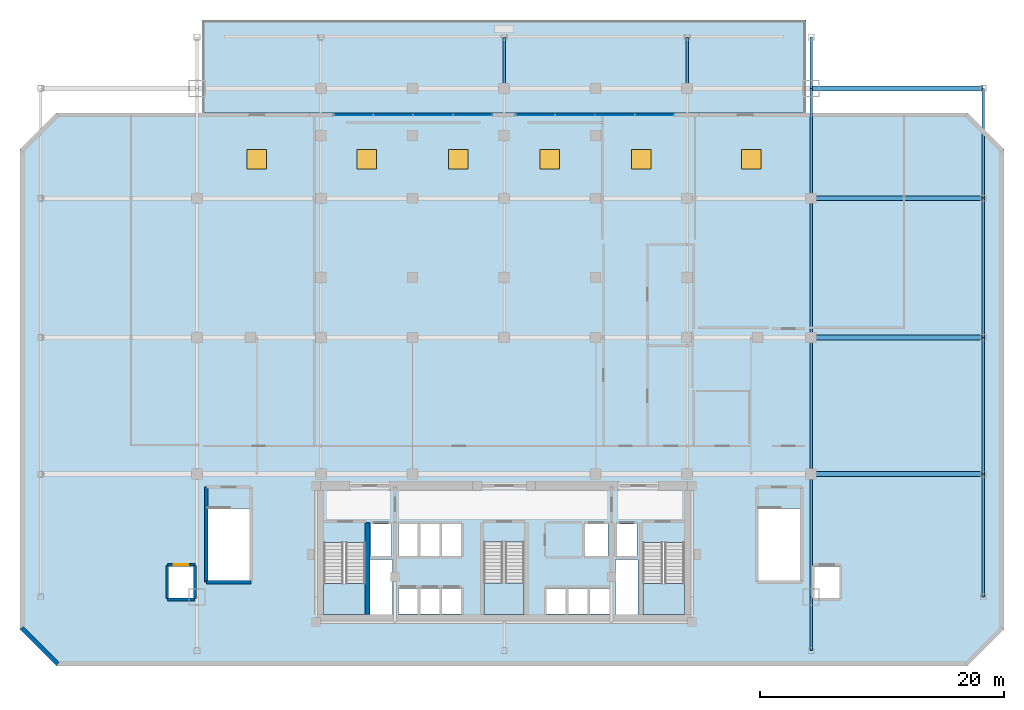
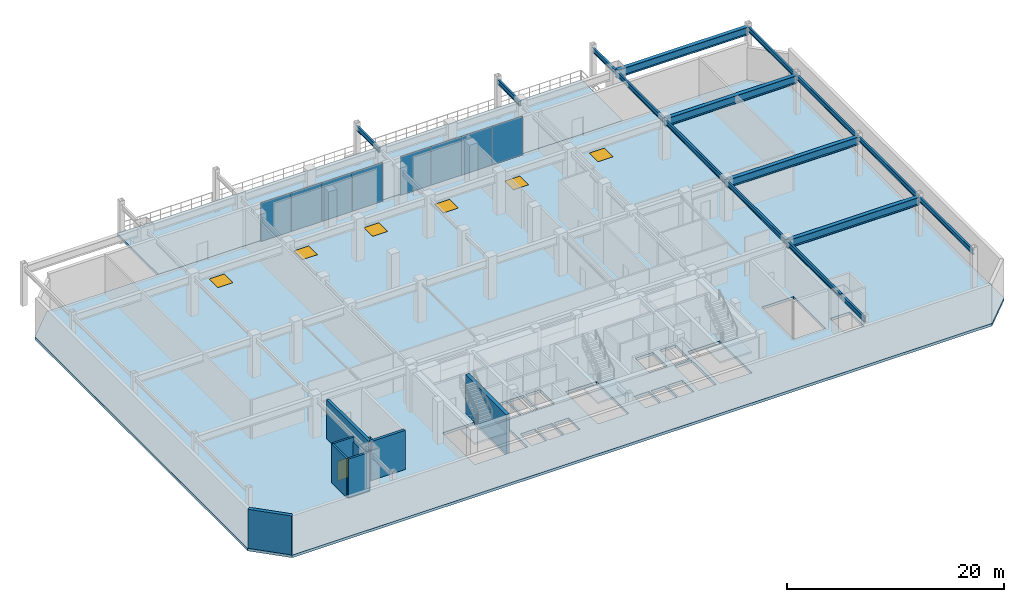
# One storey, part 9 of 15: 16 beams, 8 plates, 8 walls, 6 windows, 5 slabs, 1 door, 7 openings, 5 elements without a shape of their own.
"""IFC4 building model written with IfcOpenShell, lengths in metres."""

from ifc_helpers import new_model, si_unit, direction, frame, frame_2d, origin, origin_2d, place, context, subcontext, project, spatial, polyline, rectangle, i_section, outline, extrude, material, layer, layer_set, material_profile, profile_set, type_object, element, fill, aggregate, save


model = new_model("IFC4")

# Units and contexts
model_context = context("Model", 3, precision=1e-05, world=origin(), true_north=direction((0.0, 1.0)))
body_context = subcontext(model_context, "Body", "Model", "MODEL_VIEW")
ifc_project = project(units=[si_unit("LENGTHUNIT", "METRE"), si_unit("AREAUNIT", "SQUARE_METRE"), si_unit("VOLUMEUNIT", "CUBIC_METRE"), si_unit("PLANEANGLEUNIT", "RADIAN"), si_unit("MASSUNIT", "GRAM", prefix="KILO")], contexts=[model_context])

# Site, building, storey
site_placement = place(None, origin())
site = spatial("IfcSite", under=ifc_project, at=site_placement, CompositionType="ELEMENT")
building_placement = place(site_placement, origin())
building = spatial("IfcBuilding", under=site, at=building_placement, Name="Ventersveld Concourse Tower", CompositionType="ELEMENT")
storey_placement = place(building_placement, frame((0.0, 0.0, 19.800048828125)))
storey = spatial("IfcBuildingStorey", under=building, at=storey_placement, Name="L04", CompositionType="ELEMENT", Elevation=19.800048828125)

# Beams
ifc_material_1 = material(Name="Structural steel S355J2", Category="steel")
ifc_material_profile_1 = material_profile(ifc_material_1, i_section(OverallWidth=0.39990234375, OverallDepth=0.89990234375, WebThickness=0.02197265625, FlangeThickness=0.035888671875, at=origin_2d()), Name="PG 900x400x36")
ifc_profile_set_1 = profile_set([ifc_material_profile_1], Name="Structural steel S355J2")
beam_type_1 = type_object("IfcBeamType", Name="GRD-PG900", PredefinedType="USERDEFINED", material=ifc_profile_set_1)
for number, where, z_axis, x_axis, name in (
    (1, (53.89990234375, 12.39990234375, 3.949951171875), (1.0, 0.0, 0.0), (0.0, 1.0, 0.0), "L04 Podium Primary Girder Y=12.4m"),
    (2, (53.89990234375, 23.60009765625, 3.949951171875), (1.0, 0.0, 0.0), (0.0, 1.0, 0.0), "L04 Podium Primary Girder Y=23.6m"),
    (3, (53.89990234375, 35.0, 3.949951171875), (1.0, 0.0, 0.0), (0.0, 1.0, 0.0), "L04 Podium Primary Girder Y=35.0m"),
    (4, (53.89990234375, 44.0, 3.949951171875), (1.0, 0.0, 0.0), (0.0, 1.0, 0.0), "L04 Podium Primary Girder Y=44.0m"),
):
    element("IfcBeam", number, at=place(storey_placement, frame(where, z_axis=z_axis, x_axis=x_axis)), inside=storey, type_object=beam_type_1, Name=name, ObjectType="GIRDER", PredefinedType="USERDEFINED", context=body_context, shape_type="SweptSolid", body=[
        extrude(i_section(OverallWidth=0.39990234375, OverallDepth=0.89990234375, WebThickness=0.02197265625, FlangeThickness=0.035888671875, at=origin_2d()), origin(), (0.0, 0.0, 1.0), 14.10009765625),
    ])
ifc_material_profile_2 = material_profile(ifc_material_1, i_section(OverallWidth=0.209228515625, OverallDepth=0.533203125, WebThickness=0.010009765625, FlangeThickness=0.015625, FilletRadius=0.0126953125, at=origin_2d()), Name="UB 533x210x92")
ifc_profile_set_2 = profile_set([ifc_material_profile_2], Name="Structural steel S355J2")
beam_type_2 = type_object("IfcBeamType", Name="GRD-UB533", PredefinedType="T_BEAM", material=ifc_profile_set_2)
for number, where, z_axis, x_axis, name in (
    (5, (28.75, 44.0, 4.133544921875), (0.0, 1.0, 0.0), (-1.0, 0.0, 0.0), "L04 Podium N-S Girder X=28.75m"),
    (6, (43.75, 44.0, 4.133544921875), (0.0, 1.0, 0.0), (-1.0, 0.0, 0.0), "L04 Podium N-S Girder X=43.75m"),
):
    element("IfcBeam", number, at=place(storey_placement, frame(where, z_axis=z_axis, x_axis=x_axis)), inside=storey, type_object=beam_type_2, Name=name, PredefinedType="T_BEAM", context=body_context, shape_type="SweptSolid", body=[
        extrude(i_section(OverallWidth=0.209228515625, OverallDepth=0.533203125, WebThickness=0.010009765625, FlangeThickness=0.015625, FilletRadius=0.0126953125, at=origin_2d()), origin(), (0.0, 0.0, 1.0), 4.199951171875),
    ])
beam_1_placement = place(storey_placement, frame((53.89990234375, -2.050048828125, 4.133544921875), z_axis=(0.0, 1.0, 0.0), x_axis=(-1.0, 0.0, 0.0)))
element("IfcBeam", 7, at=beam_1_placement, inside=storey, type_object=beam_type_2, Name="L04 Podium N-S Girder X=53.90m", PredefinedType="T_BEAM", context=body_context, shape_type="SweptSolid", body=[
    extrude(i_section(OverallWidth=0.209228515625, OverallDepth=0.533203125, WebThickness=0.010009765625, FlangeThickness=0.015625, FilletRadius=0.0126953125, at=origin_2d()), origin(), (0.0, 0.0, 1.0), 4.400146484375),
])
beam_2_placement = place(storey_placement, frame((53.89990234375, 2.35009765625, 4.133544921875), z_axis=(0.0, 1.0, 0.0), x_axis=(-1.0, 0.0, 0.0)))
element("IfcBeam", 8, at=beam_2_placement, inside=storey, type_object=beam_type_2, Name="L04 Podium N-S Girder X=53.90m", PredefinedType="T_BEAM", context=body_context, shape_type="SweptSolid", body=[
    extrude(i_section(OverallWidth=0.209228515625, OverallDepth=0.533203125, WebThickness=0.010009765625, FlangeThickness=0.015625, FilletRadius=0.0126953125, at=origin_2d()), origin(), (0.0, 0.0, 1.0), 10.0498046875),
])
beam_3_placement = place(storey_placement, frame((53.89990234375, 12.39990234375, 4.133544921875), z_axis=(0.0, 1.0, 0.0), x_axis=(-1.0, 0.0, 0.0)))
element("IfcBeam", 9, at=beam_3_placement, inside=storey, type_object=beam_type_2, Name="L04 Podium N-S Girder X=53.90m", PredefinedType="T_BEAM", context=body_context, shape_type="SweptSolid", body=[
    extrude(i_section(OverallWidth=0.209228515625, OverallDepth=0.533203125, WebThickness=0.010009765625, FlangeThickness=0.015625, FilletRadius=0.0126953125, at=origin_2d()), origin(), (0.0, 0.0, 1.0), 11.2001953125),
])
beam_4_placement = place(storey_placement, frame((53.89990234375, 23.60009765625, 4.133544921875), z_axis=(0.0, 1.0, 0.0), x_axis=(-1.0, 0.0, 0.0)))
element("IfcBeam", 10, at=beam_4_placement, inside=storey, type_object=beam_type_2, Name="L04 Podium N-S Girder X=53.90m", PredefinedType="T_BEAM", context=body_context, shape_type="SweptSolid", body=[
    extrude(i_section(OverallWidth=0.209228515625, OverallDepth=0.533203125, WebThickness=0.010009765625, FlangeThickness=0.015625, FilletRadius=0.0126953125, at=origin_2d()), origin(), (0.0, 0.0, 1.0), 11.39990234375),
])
beam_5_placement = place(storey_placement, frame((53.89990234375, 35.0, 4.133544921875), z_axis=(0.0, 1.0, 0.0), x_axis=(-1.0, 0.0, 0.0)))
element("IfcBeam", 11, at=beam_5_placement, inside=storey, type_object=beam_type_2, Name="L04 Podium N-S Girder X=53.90m", PredefinedType="T_BEAM", context=body_context, shape_type="SweptSolid", body=[
    extrude(i_section(OverallWidth=0.209228515625, OverallDepth=0.533203125, WebThickness=0.010009765625, FlangeThickness=0.015625, FilletRadius=0.0126953125, at=origin_2d()), origin(), (0.0, 0.0, 1.0), 9.0),
])
beam_6_placement = place(storey_placement, frame((53.89990234375, 44.0, 4.133544921875), z_axis=(0.0, 1.0, 0.0), x_axis=(-1.0, 0.0, 0.0)))
element("IfcBeam", 12, at=beam_6_placement, inside=storey, type_object=beam_type_2, Name="L04 Podium N-S Girder X=53.90m", PredefinedType="T_BEAM", context=body_context, shape_type="SweptSolid", body=[
    extrude(i_section(OverallWidth=0.209228515625, OverallDepth=0.533203125, WebThickness=0.010009765625, FlangeThickness=0.015625, FilletRadius=0.0126953125, at=origin_2d()), origin(), (0.0, 0.0, 1.0), 4.199951171875),
])
beam_7_placement = place(storey_placement, frame((68.0, 2.35009765625, 4.133544921875), z_axis=(0.0, 1.0, 0.0), x_axis=(-1.0, 0.0, 0.0)))
element("IfcBeam", 13, at=beam_7_placement, inside=storey, type_object=beam_type_2, Name="L04 Podium N-S Girder X=68.00m", PredefinedType="T_BEAM", context=body_context, shape_type="SweptSolid", body=[
    extrude(i_section(OverallWidth=0.209228515625, OverallDepth=0.533203125, WebThickness=0.010009765625, FlangeThickness=0.015625, FilletRadius=0.0126953125, at=origin_2d()), origin(), (0.0, 0.0, 1.0), 10.0498046875),
])
beam_8_placement = place(storey_placement, frame((68.0, 12.39990234375, 4.133544921875), z_axis=(0.0, 1.0, 0.0), x_axis=(-1.0, 0.0, 0.0)))
element("IfcBeam", 14, at=beam_8_placement, inside=storey, type_object=beam_type_2, Name="L04 Podium N-S Girder X=68.00m", PredefinedType="T_BEAM", context=body_context, shape_type="SweptSolid", body=[
    extrude(i_section(OverallWidth=0.209228515625, OverallDepth=0.533203125, WebThickness=0.010009765625, FlangeThickness=0.015625, FilletRadius=0.0126953125, at=origin_2d()), origin(), (0.0, 0.0, 1.0), 11.2001953125),
])
beam_9_placement = place(storey_placement, frame((68.0, 23.60009765625, 4.133544921875), z_axis=(0.0, 1.0, 0.0), x_axis=(-1.0, 0.0, 0.0)))
element("IfcBeam", 15, at=beam_9_placement, inside=storey, type_object=beam_type_2, Name="L04 Podium N-S Girder X=68.00m", PredefinedType="T_BEAM", context=body_context, shape_type="SweptSolid", body=[
    extrude(i_section(OverallWidth=0.209228515625, OverallDepth=0.533203125, WebThickness=0.010009765625, FlangeThickness=0.015625, FilletRadius=0.0126953125, at=origin_2d()), origin(), (0.0, 0.0, 1.0), 11.39990234375),
])
beam_10_placement = place(storey_placement, frame((68.0, 35.0, 4.133544921875), z_axis=(0.0, 1.0, 0.0), x_axis=(-1.0, 0.0, 0.0)))
element("IfcBeam", 16, at=beam_10_placement, inside=storey, type_object=beam_type_2, Name="L04 Podium N-S Girder X=68.00m", PredefinedType="T_BEAM", context=body_context, shape_type="SweptSolid", body=[
    extrude(i_section(OverallWidth=0.209228515625, OverallDepth=0.533203125, WebThickness=0.010009765625, FlangeThickness=0.015625, FilletRadius=0.0126953125, at=origin_2d()), origin(), (0.0, 0.0, 1.0), 9.0),
])

# Curtain wall, plates
ifc_material_2 = material(Name="Anodised aluminium EN AW-6063-T6", Category="aluminium")
curtain_wall_type = type_object("IfcCurtainWallType", Name="CW-POD-2", PredefinedType="NOTDEFINED", material=ifc_material_2)
curtain_wall_1_placement = place(storey_placement, origin())
curtain_wall_1 = element("IfcCurtainWall", 17, at=curtain_wall_1_placement, inside=storey, type_object=curtain_wall_type, Name="L04 L04 Amenity Terrace Curtain Wall 1", PredefinedType="NOTDEFINED")
ifc_material_3 = material(Name="Low-E double glazing IGU", Category="glass")
ifc_layer_1 = layer(ifc_material_3, 0.02392578125)
ifc_layer_set_1 = layer_set([ifc_layer_1], Name="Low-E double glazing IGU")
plate_type = type_object("IfcPlateType", Name="CWP-GLZ-24", PredefinedType="CURTAIN_PANEL", material=ifc_layer_set_1)
plate_1_placement = place(storey_placement, frame((16.425048828125, 41.820068359375, 0.02001953125), z_axis=(0.0, 0.0, 1.0), x_axis=(1.0, 0.0, 0.0)))
plate_1 = element("IfcPlate", 18, at=plate_1_placement, type_object=plate_type, Name="CW-L04-N1 Glazed Panel 01-1", PredefinedType="CURTAIN_PANEL", context=body_context, shape_type="SweptSolid", body=[
    extrude(rectangle(XDim=3.239990234375, YDim=0.02392578125, at=origin_2d()), origin(), (0.0, 0.0, 1.0), 4.360107421875),
])
plate_2_placement = place(storey_placement, frame((19.675048828125, 41.820068359375, 0.02001953125), z_axis=(0.0, 0.0, 1.0), x_axis=(1.0, 0.0, 0.0)))
plate_2 = element("IfcPlate", 19, at=plate_2_placement, type_object=plate_type, Name="CW-L04-N1 Glazed Panel 02-1", PredefinedType="CURTAIN_PANEL", context=body_context, shape_type="SweptSolid", body=[
    extrude(rectangle(XDim=3.239990234375, YDim=0.02392578125, at=origin_2d()), origin(), (0.0, 0.0, 1.0), 4.360107421875),
])
plate_3_placement = place(storey_placement, frame((22.925048828125, 41.820068359375, 0.02001953125), z_axis=(0.0, 0.0, 1.0), x_axis=(1.0, 0.0, 0.0)))
plate_3 = element("IfcPlate", 20, at=plate_3_placement, type_object=plate_type, Name="CW-L04-N1 Glazed Panel 03-1", PredefinedType="CURTAIN_PANEL", context=body_context, shape_type="SweptSolid", body=[
    extrude(rectangle(XDim=3.239990234375, YDim=0.02392578125, at=origin_2d()), origin(), (0.0, 0.0, 1.0), 4.360107421875),
])
plate_4_placement = place(storey_placement, frame((26.175048828125, 41.820068359375, 0.02001953125), z_axis=(0.0, 0.0, 1.0), x_axis=(1.0, 0.0, 0.0)))
plate_4 = element("IfcPlate", 21, at=plate_4_placement, type_object=plate_type, Name="CW-L04-N1 Glazed Panel 04-1", PredefinedType="CURTAIN_PANEL", context=body_context, shape_type="SweptSolid", body=[
    extrude(rectangle(XDim=3.239990234375, YDim=0.02392578125, at=origin_2d()), origin(), (0.0, 0.0, 1.0), 4.360107421875),
])
aggregate(curtain_wall_1, [plate_1, plate_2, plate_3, plate_4])

curtain_wall_2_placement = place(storey_placement, origin())
curtain_wall_2 = element("IfcCurtainWall", 22, at=curtain_wall_2_placement, inside=storey, type_object=curtain_wall_type, Name="L04 L04 Amenity Terrace Curtain Wall 2", PredefinedType="NOTDEFINED")
plate_5_placement = place(storey_placement, frame((31.324951171875, 41.820068359375, 0.02001953125), z_axis=(0.0, 0.0, 1.0), x_axis=(1.0, 0.0, 0.0)))
plate_5 = element("IfcPlate", 23, at=plate_5_placement, type_object=plate_type, Name="CW-L04-N2 Glazed Panel 01-1", PredefinedType="CURTAIN_PANEL", context=body_context, shape_type="SweptSolid", body=[
    extrude(rectangle(XDim=3.239990234375, YDim=0.02392578125, at=origin_2d()), origin(), (0.0, 0.0, 1.0), 4.360107421875),
])
plate_6_placement = place(storey_placement, frame((34.574951171875, 41.820068359375, 0.02001953125), z_axis=(0.0, 0.0, 1.0), x_axis=(1.0, 0.0, 0.0)))
plate_6 = element("IfcPlate", 24, at=plate_6_placement, type_object=plate_type, Name="CW-L04-N2 Glazed Panel 02-1", PredefinedType="CURTAIN_PANEL", context=body_context, shape_type="SweptSolid", body=[
    extrude(rectangle(XDim=3.239990234375, YDim=0.02392578125, at=origin_2d()), origin(), (0.0, 0.0, 1.0), 4.360107421875),
])
plate_7_placement = place(storey_placement, frame((37.824951171875, 41.820068359375, 0.02001953125), z_axis=(0.0, 0.0, 1.0), x_axis=(1.0, 0.0, 0.0)))
plate_7 = element("IfcPlate", 25, at=plate_7_placement, type_object=plate_type, Name="CW-L04-N2 Glazed Panel 03-1", PredefinedType="CURTAIN_PANEL", context=body_context, shape_type="SweptSolid", body=[
    extrude(rectangle(XDim=3.239990234375, YDim=0.02392578125, at=origin_2d()), origin(), (0.0, 0.0, 1.0), 4.360107421875),
])
plate_8_placement = place(storey_placement, frame((41.074951171875, 41.820068359375, 0.02001953125), z_axis=(0.0, 0.0, 1.0), x_axis=(1.0, 0.0, 0.0)))
plate_8 = element("IfcPlate", 26, at=plate_8_placement, type_object=plate_type, Name="CW-L04-N2 Glazed Panel 04-1", PredefinedType="CURTAIN_PANEL", context=body_context, shape_type="SweptSolid", body=[
    extrude(rectangle(XDim=3.239990234375, YDim=0.02392578125, at=origin_2d()), origin(), (0.0, 0.0, 1.0), 4.360107421875),
])
aggregate(curtain_wall_2, [plate_5, plate_6, plate_7, plate_8])

# Slab, openings, windows
ifc_material_4 = material(Name="Concrete C50/60", Category="concrete")
ifc_layer_2 = layer(ifc_material_4, 0.300048828125)
ifc_layer_set_2 = layer_set([ifc_layer_2], Name="Concrete C50/60")
slab_type_1 = type_object("IfcSlabType", Name="SL-FLR-300", PredefinedType="FLOOR", material=ifc_layer_set_2)
slab_1_placement = place(storey_placement, frame((0.0, 0.0, -0.300048828125)))
slab_1 = element("IfcSlab", 27, at=slab_1_placement, inside=storey, type_object=slab_type_1, Name="L04 Composite Floor Slab", PredefinedType="FLOOR", context=body_context, shape_type="SweptSolid", body=[
    extrude(outline(polyline([(-7.89990234375, -3.300048828125), (66.699951171875, -3.300048828125), (69.699951171875, -0.300048828125), (69.699951171875, 39.0), (66.699951171875, 42.0), (-7.89990234375, 42.0), (-10.89990234375, 39.0), (-10.89990234375, -0.300048828125), (-7.89990234375, -3.300048828125)]), holes=[polyline([(13.97998046875, 6.794921875), (13.97998046875, 0.89990234375), (17.3798828125, 0.89990234375), (17.3798828125, 6.794921875), (13.97998046875, 6.794921875)]), polyline([(40.1201171875, 6.794921875), (40.1201171875, 0.89990234375), (43.52001953125, 0.89990234375), (43.52001953125, 6.794921875), (40.1201171875, 6.794921875)]), polyline([(27.10009765625, 6.844970703125), (27.10009765625, 0.89990234375), (30.39990234375, 0.89990234375), (30.39990234375, 6.844970703125), (27.10009765625, 6.844970703125)]), polyline([(4.5, 9.594970703125), (4.5, 3.699951171875), (7.89990234375, 3.699951171875), (7.89990234375, 9.594970703125), (4.5, 9.594970703125)]), polyline([(49.60009765625, 9.594970703125), (49.60009765625, 3.699951171875), (53.0, 3.699951171875), (53.0, 9.594970703125), (49.60009765625, 9.594970703125)]), polyline([(17.85009765625, 5.699951171875), (19.530029296875, 5.699951171875), (19.530029296875, 8.300048828125), (17.85009765625, 8.300048828125), (17.85009765625, 5.699951171875)]), polyline([(37.969970703125, 5.699951171875), (39.64990234375, 5.699951171875), (39.64990234375, 8.300048828125), (37.969970703125, 8.300048828125), (37.969970703125, 5.699951171875)]), polyline([(35.35009765625, 5.699951171875), (37.25, 5.699951171875), (37.25, 8.300048828125), (35.35009765625, 8.300048828125), (35.35009765625, 5.699951171875)]), polyline([(20.090087890625, 0.949951171875), (21.68994140625, 0.949951171875), (21.68994140625, 3.050048828125), (20.090087890625, 3.050048828125), (20.090087890625, 0.949951171875)]), polyline([(21.8701171875, 0.949951171875), (23.469970703125, 0.949951171875), (23.469970703125, 3.050048828125), (21.8701171875, 3.050048828125), (21.8701171875, 0.949951171875)]), polyline([(23.64990234375, 0.949951171875), (25.25, 0.949951171875), (25.25, 3.050048828125), (23.64990234375, 3.050048828125), (23.64990234375, 0.949951171875)]), polyline([(32.2099609375, 0.949951171875), (33.81005859375, 0.949951171875), (33.81005859375, 3.050048828125), (32.2099609375, 3.050048828125), (32.2099609375, 0.949951171875)]), polyline([(33.989990234375, 0.949951171875), (35.590087890625, 0.949951171875), (35.590087890625, 3.050048828125), (33.989990234375, 3.050048828125), (33.989990234375, 0.949951171875)]), polyline([(35.77001953125, 0.949951171875), (37.3701171875, 0.949951171875), (37.3701171875, 3.050048828125), (35.77001953125, 3.050048828125), (35.77001953125, 0.949951171875)]), polyline([(20.090087890625, 5.699951171875), (21.68994140625, 5.699951171875), (21.68994140625, 8.300048828125), (20.090087890625, 8.300048828125), (20.090087890625, 5.699951171875)]), polyline([(21.8701171875, 5.699951171875), (23.469970703125, 5.699951171875), (23.469970703125, 8.300048828125), (21.8701171875, 8.300048828125), (21.8701171875, 5.699951171875)]), polyline([(23.64990234375, 5.699951171875), (25.25, 5.699951171875), (25.25, 8.300048828125), (23.64990234375, 8.300048828125), (23.64990234375, 5.699951171875)]), polyline([(1.25, 2.25), (3.35009765625, 2.25), (3.35009765625, 4.85009765625), (1.25, 4.85009765625), (1.25, 2.25)]), polyline([(54.14990234375, 2.25), (56.25, 2.25), (56.25, 4.85009765625), (54.14990234375, 4.85009765625), (54.14990234375, 2.25)]), polyline([(17.780029296875, 0.919921875), (19.6201171875, 0.919921875), (19.6201171875, 5.419921875), (17.780029296875, 5.419921875), (17.780029296875, 0.919921875)]), polyline([(37.8798828125, 0.919921875), (39.719970703125, 0.919921875), (39.719970703125, 5.419921875), (37.8798828125, 5.419921875), (37.8798828125, 0.919921875)])]), origin(), (0.0, 0.0, 1.0), 0.300048828125),
])
opening_1_placement = place(slab_1_placement, frame((8.5, 38.199951171875, -0.010009765625)))
opening_1 = element("IfcOpeningElement", 28, at=opening_1_placement, cuts=slab_1, Name="Opening SK1", PredefinedType="OPENING", context=body_context, shape_type="SweptSolid", body=[
    extrude(rectangle(XDim=1.60009765625, YDim=1.60009765625, at=origin_2d()), origin(), (0.0, 0.0, 1.0), 0.320068359375),
])
opening_2_placement = place(slab_1_placement, frame((17.5, 38.199951171875, -0.010009765625)))
opening_2 = element("IfcOpeningElement", 29, at=opening_2_placement, cuts=slab_1, Name="Opening SK1", PredefinedType="OPENING", context=body_context, shape_type="SweptSolid", body=[
    extrude(rectangle(XDim=1.60009765625, YDim=1.60009765625, at=origin_2d()), origin(), (0.0, 0.0, 1.0), 0.320068359375),
])
opening_3_placement = place(slab_1_placement, frame((25.0, 38.199951171875, -0.010009765625)))
opening_3 = element("IfcOpeningElement", 30, at=opening_3_placement, cuts=slab_1, Name="Opening SK1", PredefinedType="OPENING", context=body_context, shape_type="SweptSolid", body=[
    extrude(rectangle(XDim=1.60009765625, YDim=1.60009765625, at=origin_2d()), origin(), (0.0, 0.0, 1.0), 0.320068359375),
])
opening_4_placement = place(slab_1_placement, frame((32.5, 38.199951171875, -0.010009765625)))
opening_4 = element("IfcOpeningElement", 31, at=opening_4_placement, cuts=slab_1, Name="Opening SK1", PredefinedType="OPENING", context=body_context, shape_type="SweptSolid", body=[
    extrude(rectangle(XDim=1.60009765625, YDim=1.60009765625, at=origin_2d()), origin(), (0.0, 0.0, 1.0), 0.320068359375),
])
opening_5_placement = place(slab_1_placement, frame((40.0, 38.199951171875, -0.010009765625)))
opening_5 = element("IfcOpeningElement", 32, at=opening_5_placement, cuts=slab_1, Name="Opening SK1", PredefinedType="OPENING", context=body_context, shape_type="SweptSolid", body=[
    extrude(rectangle(XDim=1.60009765625, YDim=1.60009765625, at=origin_2d()), origin(), (0.0, 0.0, 1.0), 0.320068359375),
])
opening_6_placement = place(slab_1_placement, frame((49.0, 38.199951171875, -0.010009765625)))
opening_6 = element("IfcOpeningElement", 33, at=opening_6_placement, cuts=slab_1, Name="Opening SK1", PredefinedType="OPENING", context=body_context, shape_type="SweptSolid", body=[
    extrude(rectangle(XDim=1.60009765625, YDim=1.60009765625, at=origin_2d()), origin(), (0.0, 0.0, 1.0), 0.320068359375),
])
ifc_material_5 = material(Name="Tempered acoustic Low-E IGU", Category="glass")
window_type = type_object("IfcWindowType", Name="SKY-160x160", PartitioningType="SINGLE_PANEL", PredefinedType="SKYLIGHT", material=ifc_material_5)
window_1_placement = place(slab_1_placement, frame((8.5, 38.199951171875, 0.25)))
window_1 = element("IfcWindow", 34, at=window_1_placement, inside=storey, type_object=window_type, Name="L04 Podium Concourse Glazed Skylight SK-01", OverallHeight=1.60009765625, OverallWidth=1.60009765625, PartitioningType="SINGLE_PANEL", PredefinedType="SKYLIGHT", context=body_context, shape_type="SweptSolid", body=[
    extrude(rectangle(XDim=1.60009765625, YDim=1.60009765625, at=origin_2d()), origin(), (0.0, 0.0, 1.0), 0.050048828125),
])
fill(opening_1, window_1)
window_2_placement = place(slab_1_placement, frame((17.5, 38.199951171875, 0.25)))
window_2 = element("IfcWindow", 35, at=window_2_placement, inside=storey, type_object=window_type, Name="L04 Podium Concourse Glazed Skylight SK-02", OverallHeight=1.60009765625, OverallWidth=1.60009765625, PartitioningType="SINGLE_PANEL", PredefinedType="SKYLIGHT", context=body_context, shape_type="SweptSolid", body=[
    extrude(rectangle(XDim=1.60009765625, YDim=1.60009765625, at=origin_2d()), origin(), (0.0, 0.0, 1.0), 0.050048828125),
])
fill(opening_2, window_2)
window_3_placement = place(slab_1_placement, frame((25.0, 38.199951171875, 0.25)))
window_3 = element("IfcWindow", 36, at=window_3_placement, inside=storey, type_object=window_type, Name="L04 Podium Concourse Glazed Skylight SK-03", OverallHeight=1.60009765625, OverallWidth=1.60009765625, PartitioningType="SINGLE_PANEL", PredefinedType="SKYLIGHT", context=body_context, shape_type="SweptSolid", body=[
    extrude(rectangle(XDim=1.60009765625, YDim=1.60009765625, at=origin_2d()), origin(), (0.0, 0.0, 1.0), 0.050048828125),
])
fill(opening_3, window_3)
window_4_placement = place(slab_1_placement, frame((32.5, 38.199951171875, 0.25)))
window_4 = element("IfcWindow", 37, at=window_4_placement, inside=storey, type_object=window_type, Name="L04 Podium Concourse Glazed Skylight SK-04", OverallHeight=1.60009765625, OverallWidth=1.60009765625, PartitioningType="SINGLE_PANEL", PredefinedType="SKYLIGHT", context=body_context, shape_type="SweptSolid", body=[
    extrude(rectangle(XDim=1.60009765625, YDim=1.60009765625, at=origin_2d()), origin(), (0.0, 0.0, 1.0), 0.050048828125),
])
fill(opening_4, window_4)
window_5_placement = place(slab_1_placement, frame((40.0, 38.199951171875, 0.25)))
window_5 = element("IfcWindow", 38, at=window_5_placement, inside=storey, type_object=window_type, Name="L04 Podium Concourse Glazed Skylight SK-05", OverallHeight=1.60009765625, OverallWidth=1.60009765625, PartitioningType="SINGLE_PANEL", PredefinedType="SKYLIGHT", context=body_context, shape_type="SweptSolid", body=[
    extrude(rectangle(XDim=1.60009765625, YDim=1.60009765625, at=origin_2d()), origin(), (0.0, 0.0, 1.0), 0.050048828125),
])
fill(opening_5, window_5)
window_6_placement = place(slab_1_placement, frame((49.0, 38.199951171875, 0.25)))
window_6 = element("IfcWindow", 39, at=window_6_placement, inside=storey, type_object=window_type, Name="L04 Podium Concourse Glazed Skylight SK-06", OverallHeight=1.60009765625, OverallWidth=1.60009765625, PartitioningType="SINGLE_PANEL", PredefinedType="SKYLIGHT", context=body_context, shape_type="SweptSolid", body=[
    extrude(rectangle(XDim=1.60009765625, YDim=1.60009765625, at=origin_2d()), origin(), (0.0, 0.0, 1.0), 0.050048828125),
])
fill(opening_6, window_6)

# Slab
slab_2_placement = place(storey_placement, frame((0.0, 0.0, -0.300048828125)))
element("IfcSlab", 40, at=slab_2_placement, inside=storey, type_object=slab_type_1, Name="L04 Outdoor Terrace Slab POD-TERR-N", PredefinedType="FLOOR", context=body_context, shape_type="SweptSolid", body=[
    extrude(outline(polyline([(4.0, 42.0), (53.5, 42.0), (53.5, 49.60009765625), (4.0, 49.60009765625), (4.0, 42.0)])), origin(), (0.0, 0.0, 1.0), 0.300048828125),
])

# Stair, slab
stair_type_1 = type_object("IfcStairType", Name="ST-DOG-160", PredefinedType="HALF_TURN_STAIR", material=ifc_material_4)
stair_1_placement = place(storey_placement, origin())
stair_1 = element("IfcStair", 41, at=stair_1_placement, inside=storey, type_object=stair_type_1, Name="L04 Protected Tower Escape Stair ST-01", PredefinedType="HALF_TURN_STAIR")
ifc_layer_3 = layer(ifc_material_4, 0.199951171875)
ifc_layer_set_3 = layer_set([ifc_layer_3], Name="Concrete C50/60")
slab_type_2 = type_object("IfcSlabType", Name="SL-LND-200", PredefinedType="LANDING", material=ifc_layer_set_3)
slab_3_placement = place(storey_placement, frame((0.0, 0.0, 2.199951171875)))
slab_3 = element("IfcSlab", 42, at=slab_3_placement, type_object=slab_type_2, Name="ST-01 landing 1", PredefinedType="LANDING", context=body_context, shape_type="SweptSolid", body=[
    extrude(outline(polyline([(13.97998046875, 3.43994140625), (13.97998046875, 0.89990234375), (17.3798828125, 0.89990234375), (17.3798828125, 3.43994140625), (13.97998046875, 3.43994140625)])), origin(), (0.0, 0.0, 1.0), 0.199951171875),
])
aggregate(stair_1, [slab_3])

stair_2_placement = place(storey_placement, origin())
stair_2 = element("IfcStair", 43, at=stair_2_placement, inside=storey, type_object=stair_type_1, Name="L04 Protected Tower Escape Stair ST-02", PredefinedType="HALF_TURN_STAIR")
slab_4_placement = place(storey_placement, frame((0.0, 0.0, 2.199951171875)))
slab_4 = element("IfcSlab", 44, at=slab_4_placement, type_object=slab_type_2, Name="ST-02 landing 1", PredefinedType="LANDING", context=body_context, shape_type="SweptSolid", body=[
    extrude(outline(polyline([(40.1201171875, 3.43994140625), (40.1201171875, 0.89990234375), (43.52001953125, 0.89990234375), (43.52001953125, 3.43994140625), (40.1201171875, 3.43994140625)])), origin(), (0.0, 0.0, 1.0), 0.199951171875),
])
aggregate(stair_2, [slab_4])

stair_type_2 = type_object("IfcStairType", Name="ST-DOG-155", PredefinedType="HALF_TURN_STAIR", material=ifc_material_4)
stair_3_placement = place(storey_placement, origin())
stair_3 = element("IfcStair", 45, at=stair_3_placement, inside=storey, type_object=stair_type_2, Name="L04 Protected Central Core Escape Stair ST-03", PredefinedType="HALF_TURN_STAIR")
slab_5_placement = place(storey_placement, frame((0.0, 0.0, 2.199951171875)))
slab_5 = element("IfcSlab", 46, at=slab_5_placement, type_object=slab_type_2, Name="ST-03 landing 1", PredefinedType="LANDING", context=body_context, shape_type="SweptSolid", body=[
    extrude(outline(polyline([(27.10009765625, 3.489990234375), (27.10009765625, 0.89990234375), (30.39990234375, 0.89990234375), (30.39990234375, 3.489990234375), (27.10009765625, 3.489990234375)])), origin(), (0.0, 0.0, 1.0), 0.199951171875),
])
aggregate(stair_3, [slab_5])

# Walls
ifc_material_6 = material(Name="Concrete C60/75", Category="concrete")
ifc_layer_4 = layer(ifc_material_6, 0.35009765625)
ifc_layer_set_4 = layer_set([ifc_layer_4], Name="Concrete C60/75")
wall_type_1 = type_object("IfcWallType", Name="WL-CORE-350L", PredefinedType="SHEAR", material=ifc_layer_set_4)
wall_1_placement = place(storey_placement, frame((17.5400390625, 0.919921875, 0.0), z_axis=(0.0, 0.0, 1.0), x_axis=(0.0, 1.0, 0.0)))
element("IfcWall", 47, at=wall_1_placement, inside=storey, type_object=wall_type_1, Name="L04 Core Internal Shear Web W-ST1-E", PredefinedType="SHEAR", context=body_context, shape_type="SweptSolid", body=[
    extrude(rectangle(XDim=7.5, YDim=0.35009765625, at=frame_2d((3.75, 0.0))), origin(), (0.0, 0.0, 1.0), 4.39990234375),
])
ifc_material_7 = material(Name="Fire-rated autoclaved aerated masonry blockwork", Category="masonry")
ifc_layer_5 = layer(ifc_material_7, 0.219970703125)
ifc_layer_set_5 = layer_set([ifc_layer_5], Name="Fire-rated autoclaved aerated masonry blockwork")
wall_type_2 = type_object("IfcWallType", Name="WL-HOIST-220", PredefinedType="SOLIDWALL", material=ifc_layer_set_5)
wall_2_placement = place(storey_placement, frame((1.199951171875, 2.139892578125, 0.0), z_axis=(0.0, 0.0, 1.0), x_axis=(1.0, 0.0, 0.0)))
element("IfcWall", 48, at=wall_2_placement, inside=storey, type_object=wall_type_2, Name="L04 Lift Hoistway Back Wall SL-01", PredefinedType="SOLIDWALL", context=body_context, shape_type="SweptSolid", body=[
    extrude(rectangle(XDim=2.199951171875, YDim=0.219970703125, at=frame_2d((1.10009765625, 0.0))), origin(), (0.0, 0.0, 1.0), 4.39990234375),
])
wall_3_placement = place(storey_placement, frame((1.159912109375, 2.199951171875, 0.0), z_axis=(0.0, 0.0, 1.0), x_axis=(0.0, 1.0, 0.0)))
element("IfcWall", 49, at=wall_3_placement, inside=storey, type_object=wall_type_2, Name="L04 Lift Hoistway Side Wall SL-01W", PredefinedType="SOLIDWALL", context=body_context, shape_type="SweptSolid", body=[
    extrude(rectangle(XDim=2.699951171875, YDim=0.219970703125, at=frame_2d((1.35009765625, 0.0))), origin(), (0.0, 0.0, 1.0), 4.39990234375),
])
wall_4_placement = place(storey_placement, frame((3.43994140625, 2.199951171875, 0.0), z_axis=(0.0, 0.0, 1.0), x_axis=(0.0, 1.0, 0.0)))
element("IfcWall", 50, at=wall_4_placement, inside=storey, type_object=wall_type_2, Name="L04 Lift Hoistway Side Wall SL-01E", PredefinedType="SOLIDWALL", context=body_context, shape_type="SweptSolid", body=[
    extrude(rectangle(XDim=2.699951171875, YDim=0.219970703125, at=frame_2d((1.35009765625, 0.0))), origin(), (0.0, 0.0, 1.0), 3.866943359375),
])

# Wall, opening, door
wall_5_placement = place(storey_placement, frame((1.179931640625, 4.97998046875, 0.0), z_axis=(0.0, 0.0, 1.0), x_axis=(1.0, 0.0, 0.0)))
wall_5 = element("IfcWall", 51, at=wall_5_placement, inside=storey, type_object=wall_type_2, Name="L04 Lift Hoistway Front Wall SL-01", PredefinedType="SOLIDWALL", context=body_context, shape_type="SweptSolid", body=[
    extrude(rectangle(XDim=2.239990234375, YDim=0.219970703125, at=frame_2d((1.1201171875, 0.0))), origin(), (0.0, 0.0, 1.0), 4.39990234375),
])
opening_7_placement = place(wall_5_placement, frame((0.530029296875, 0.0, 0.0)))
opening_7 = element("IfcOpeningElement", 52, at=opening_7_placement, cuts=wall_5, Name="Opening LD2", PredefinedType="OPENING", context=body_context, shape_type="SweptSolid", body=[
    extrude(rectangle(XDim=1.179931640625, YDim=2.199951171875, at=frame_2d((0.58984375, 1.10009765625))), frame((0.0, 0.1201171875, 0.0), z_axis=(0.0, -1.0, 0.0), x_axis=(1.0, 0.0, 0.0)), (0.0, 0.0, 1.0), 0.239990234375),
])
ifc_material_8 = material(Name="Brushed stainless steel 316", Category="steel")
door_type = type_object("IfcDoorType", Name="LD-PAX-118", OperationType="SLIDING_TO_LEFT", PredefinedType="DOOR", material=ifc_material_8)
door_placement = place(opening_7_placement, origin())
door = element("IfcDoor", 53, at=door_placement, inside=storey, type_object=door_type, Name="L04 Lift landing door SL-01 (LD-L04-SL-01)", OperationType="SLIDING_TO_RIGHT", OverallHeight=2.199951171875, OverallWidth=1.179931640625, PredefinedType="DOOR", context=body_context, shape_type="SweptSolid", body=[
    extrude(rectangle(XDim=1.179931640625, YDim=2.199951171875, at=frame_2d((0.58984375, 1.10009765625))), frame((0.0, 0.02490234375, 0.0), z_axis=(0.0, -1.0, 0.0), x_axis=(1.0, 0.0, 0.0)), (0.0, 0.0, 1.0), 0.050048828125),
])
fill(opening_7, door)

# Walls
ifc_material_9 = material(Name="Precast concrete C45/55", Category="concrete")
ifc_layer_6 = layer(ifc_material_9, 0.35009765625)
ifc_layer_set_6 = layer_set([ifc_layer_6], Name="Precast concrete C45/55")
wall_type_3 = type_object("IfcWallType", Name="WL-PREC-350", PredefinedType="SOLIDWALL", material=ifc_layer_set_6)
wall_6_placement = place(storey_placement, frame((-10.744384765625, -0.200927734375, 0.0), z_axis=(0.0, 0.0, 1.0), x_axis=(0.707106781187, -0.707106781187, 0.0)))
element("IfcWall", 54, at=wall_6_placement, inside=storey, type_object=wall_type_3, Name="L04 Podium Precast Perimeter Wall 08", PredefinedType="SOLIDWALL", context=body_context, shape_type="SweptSolid", body=[
    extrude(rectangle(XDim=4.16259765625, YDim=0.35009765625, at=frame_2d((2.081298828125, 0.0))), origin(), (0.0, 0.0, 1.0), 4.39990234375),
])
ifc_layer_7 = layer(ifc_material_4, 0.280029296875)
ifc_layer_set_7 = layer_set([ifc_layer_7], Name="Concrete C50/60")
wall_type_4 = type_object("IfcWallType", Name="WL-SHAFT-280", PredefinedType="SHEAR", material=ifc_layer_set_7)
wall_7_placement = place(storey_placement, frame((4.360107421875, 3.56005859375, 0.0), z_axis=(0.0, 0.0, 1.0), x_axis=(1.0, 0.0, 0.0)))
element("IfcWall", 55, at=wall_7_placement, inside=storey, type_object=wall_type_4, Name="L04 ST04 Structural Shaft Wall S", PredefinedType="SHEAR", context=body_context, shape_type="SweptSolid", body=[
    extrude(rectangle(XDim=3.679931640625, YDim=0.280029296875, at=frame_2d((1.83984375, 0.0))), origin(), (0.0, 0.0, 1.0), 4.39990234375),
])
wall_8_placement = place(storey_placement, frame((4.360107421875, 3.56005859375, 0.0), z_axis=(0.0, 0.0, 1.0), x_axis=(0.0, 1.0, 0.0)))
element("IfcWall", 56, at=wall_8_placement, inside=storey, type_object=wall_type_4, Name="L04 ST04 Structural Shaft Wall W", PredefinedType="SHEAR", context=body_context, shape_type="SweptSolid", body=[
    extrude(rectangle(XDim=7.7900390625, YDim=0.280029296875, at=frame_2d((3.89501953125, 0.0))), origin(), (0.0, 0.0, 1.0), 4.39990234375),
])

save(model, "model.ifc")
